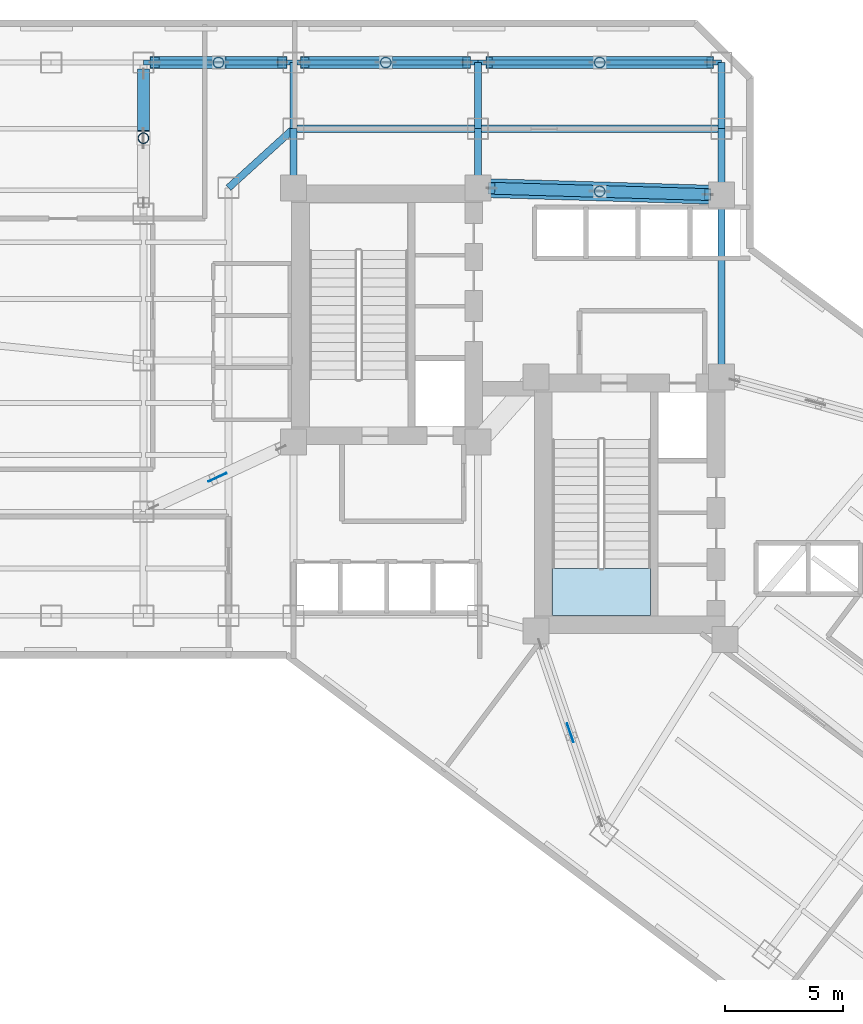
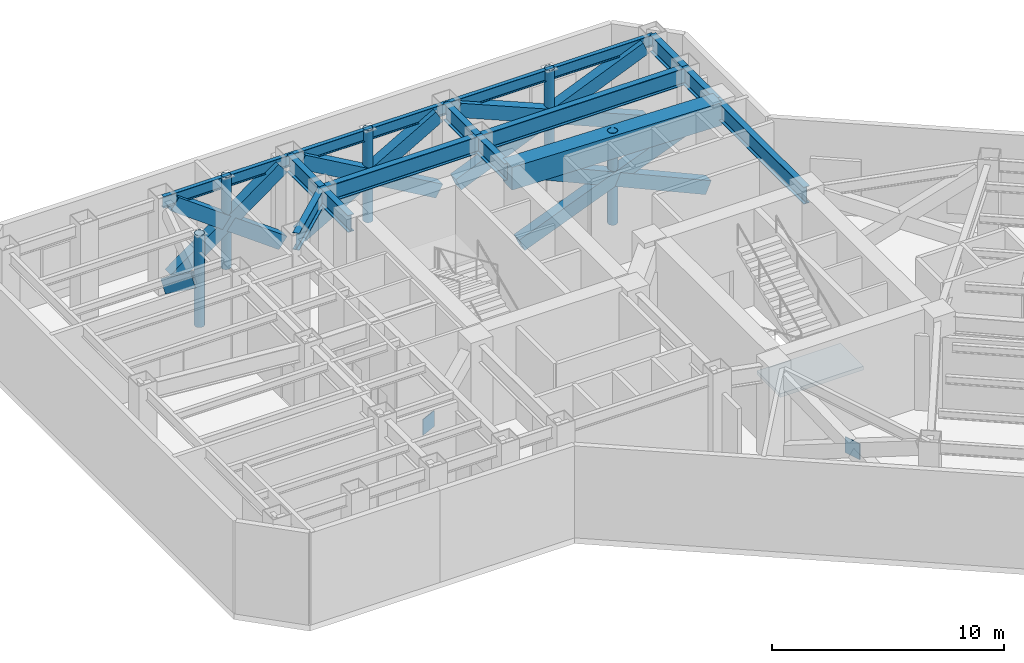
# One storey, part 3 of 14: 18 members, 14 beams, 2 plates, 1 slab, 1 element without a shape of its own.
"""IFC4 building model written with IfcOpenShell, lengths in metres."""

from ifc_helpers import new_model, si_unit, direction, frame, origin, origin_2d, place, context, subcontext, project, spatial, polyline, rectangle, hollow_rectangle, hollow_circle, i_section, outline, extrude, material, layer, layer_set, material_profile, profile_set, type_object, element, aggregate, save


model = new_model("IFC4")

# Units and contexts
model_context = context("Model", 3, precision=1e-05, world=origin(), true_north=direction((0.0, 1.0)))
body_context = subcontext(model_context, "Body", "Model", "MODEL_VIEW")
ifc_project = project(units=[si_unit("LENGTHUNIT", "METRE"), si_unit("AREAUNIT", "SQUARE_METRE"), si_unit("VOLUMEUNIT", "CUBIC_METRE"), si_unit("PLANEANGLEUNIT", "RADIAN"), si_unit("MASSUNIT", "GRAM", prefix="KILO")], contexts=[model_context])

# Site, building, storey
site_placement = place(None, origin())
site = spatial("IfcSite", under=ifc_project, at=site_placement, CompositionType="ELEMENT")
building_placement = place(site_placement, origin())
building = spatial("IfcBuilding", under=site, at=building_placement, Name="Hatsunagi Terrace Concourse", CompositionType="ELEMENT")
storey_placement = place(building_placement, frame((0.0, 0.0, 91.35009765625)))
storey = spatial("IfcBuildingStorey", under=building, at=storey_placement, Name="L24", CompositionType="ELEMENT", Elevation=91.35009765625)

# Members
ifc_material_1 = material(Name="Steel SN490B", Category="steel")
ifc_material_profile_1 = material_profile(ifc_material_1, hollow_circle(Radius=0.228515625, WallThickness=0.01904296875, at=origin_2d()), Name="CHS-457.2x19")
ifc_profile_set_1 = profile_set([ifc_material_profile_1], Name="Steel SN490B")
member_type_1 = type_object("IfcMemberType", Name="BeltTrussStrut_CHS_457x19", PredefinedType="STRUT", material=ifc_profile_set_1)
for number, where, z_axis, x_axis, name in (
    (1, (19.199951171875, 45.39990234375, 0.0), (0.0, 0.0, 1.0), (1.0, 0.0, 0.0), "Belt Strut BST-01 L24-2"),
    (2, (22.375, 48.60009765625, 0.0), (0.0, 0.0, 1.0), (1.0, 0.0, 0.0), "Belt Strut BST-01 L24-3"),
    (3, (29.449951171875, 48.60009765625, 0.0), (0.0, 0.0, 1.0), (1.0, 0.0, 0.0), "Belt Strut BST-01 L24-4"),
    (4, (38.5, 43.14990234375, 0.0), (0.0, 0.0, 1.0), (1.0, 0.0, 0.0), "Belt Strut BST-01 L24-7"),
    (5, (38.5, 48.60009765625, 0.0), (0.0, 0.0, 1.0), (1.0, 0.0, 0.0), "Belt Strut BST-01 L24-8"),
):
    element("IfcMember", number, at=place(storey_placement, frame(where, z_axis=z_axis, x_axis=x_axis)), inside=storey, type_object=member_type_1, Name=name, PredefinedType="STRUT", context=body_context, shape_type="SweptSolid", body=[
        extrude(hollow_circle(Radius=0.228515625, WallThickness=0.01904296875, at=origin_2d()), origin(), (0.0, 0.0, 1.0), 4.849853515625),
    ])

# Beams
ifc_material_2 = material(Name="Concrete Fc60", Category="concrete")
ifc_material_profile_2 = material_profile(ifc_material_2, rectangle(XDim=0.800048828125, YDim=1.199951171875, at=origin_2d()), Name="RC-800x1200")
ifc_profile_set_2 = profile_set([ifc_material_profile_2], Name="Concrete Fc60")
beam_type_1 = type_object("IfcBeamType", Name="CoreCouplingBeam_RC_800x1200", PredefinedType="BEAM", material=ifc_profile_set_2)
beam_1_placement = place(storey_placement, frame((33.35009765625, 43.300048828125, 4.25), z_axis=(0.999575947545, -0.029119153303, 0.0), x_axis=(0.029119153303, 0.999575947545, 0.0)))
element("IfcBeam", 6, at=beam_1_placement, inside=storey, type_object=beam_type_1, Name="Beam CB-01 CB-L24-2", PredefinedType="BEAM", context=body_context, shape_type="SweptSolid", body=[
    extrude(rectangle(XDim=0.800048828125, YDim=1.199951171875, at=origin_2d()), origin(), (0.0, 0.0, 1.0), 10.30419921875),
])
ifc_material_3 = material(Name="Steel SN490B", Category="steel")
ifc_material_profile_3 = material_profile(ifc_material_3, i_section(OverallWidth=0.300048828125, OverallDepth=0.89990234375, WebThickness=0.01611328125, FlangeThickness=0.028076171875, FilletRadius=0.02197265625, at=origin_2d()), Name="H-900x300x16x28")
ifc_profile_set_3 = profile_set([ifc_material_profile_3], Name="Steel SN490B")
beam_type_2 = type_object("IfcBeamType", Name="HeavyRefugeGirder_H_900x300", PredefinedType="BEAM", material=ifc_profile_set_3)
beam_2_placement = place(storey_placement, frame((43.64990234375, 35.300048828125, 4.39990234375), z_axis=(0.0, 1.0, 0.0), x_axis=(-1.0, 0.0, 0.0)))
element("IfcBeam", 7, at=beam_2_placement, inside=storey, type_object=beam_type_2, Name="Beam G-02 BM-L24-CBK3", PredefinedType="BEAM", context=body_context, shape_type="SweptSolid", body=[
    extrude(i_section(OverallWidth=0.300048828125, OverallDepth=0.89990234375, WebThickness=0.01611328125, FlangeThickness=0.028076171875, FilletRadius=0.02197265625, at=origin_2d()), origin(), (0.0, 0.0, 1.0), 7.699951171875),
])
for number, where, z_axis, x_axis, name in (
    (8, (25.550048828125, 43.300048828125, 4.39990234375), (0.0, 1.0, 0.0), (-1.0, 0.0, 0.0), "Beam G-02 BM-L24-CN1"),
    (9, (33.35009765625, 43.300048828125, 4.39990234375), (0.0, 1.0, 0.0), (-1.0, 0.0, 0.0), "Beam G-02 BM-L24-CN2"),
):
    element("IfcBeam", number, at=place(storey_placement, frame(where, z_axis=z_axis, x_axis=x_axis)), inside=storey, type_object=beam_type_2, Name=name, PredefinedType="BEAM", context=body_context, shape_type="SweptSolid", body=[
        extrude(i_section(OverallWidth=0.300048828125, OverallDepth=0.89990234375, WebThickness=0.01611328125, FlangeThickness=0.028076171875, FilletRadius=0.02197265625, at=origin_2d()), origin(), (0.0, 0.0, 1.0), 2.5),
    ])
beam_3_placement = place(storey_placement, frame((43.64990234375, 43.0, 4.39990234375), z_axis=(0.0, 1.0, 0.0), x_axis=(-1.0, 0.0, 0.0)))
element("IfcBeam", 10, at=beam_3_placement, inside=storey, type_object=beam_type_2, Name="Beam G-02 BM-L24-CN3", PredefinedType="BEAM", context=body_context, shape_type="SweptSolid", body=[
    extrude(i_section(OverallWidth=0.300048828125, OverallDepth=0.89990234375, WebThickness=0.01611328125, FlangeThickness=0.028076171875, FilletRadius=0.02197265625, at=origin_2d()), origin(), (0.0, 0.0, 1.0), 2.800048828125),
])
beam_4_placement = place(storey_placement, frame((25.550048828125, 45.800048828125, 4.39990234375), z_axis=(1.0, 0.0, 0.0), x_axis=(0.0, 1.0, 0.0)))
element("IfcBeam", 11, at=beam_4_placement, inside=storey, type_object=beam_type_2, Name="Beam G-02 BM-L24-CNEW1", PredefinedType="BEAM", context=body_context, shape_type="SweptSolid", body=[
    extrude(i_section(OverallWidth=0.300048828125, OverallDepth=0.89990234375, WebThickness=0.01611328125, FlangeThickness=0.028076171875, FilletRadius=0.02197265625, at=origin_2d()), origin(), (0.0, 0.0, 1.0), 7.800048828125),
])
beam_5_placement = place(storey_placement, frame((33.35009765625, 45.800048828125, 4.39990234375), z_axis=(1.0, 0.0, 0.0), x_axis=(0.0, 1.0, 0.0)))
element("IfcBeam", 12, at=beam_5_placement, inside=storey, type_object=beam_type_2, Name="Beam G-02 BM-L24-CNEW2", PredefinedType="BEAM", context=body_context, shape_type="SweptSolid", body=[
    extrude(i_section(OverallWidth=0.300048828125, OverallDepth=0.89990234375, WebThickness=0.01611328125, FlangeThickness=0.028076171875, FilletRadius=0.02197265625, at=origin_2d()), origin(), (0.0, 0.0, 1.0), 10.2998046875),
])
for number, where, z_axis, x_axis, name in (
    (13, (25.550048828125, 45.800048828125, 4.39990234375), (0.0, 1.0, 0.0), (-1.0, 0.0, 0.0), "Beam G-02 BM-L24-KN-WN4"),
    (14, (33.35009765625, 45.800048828125, 4.39990234375), (0.0, 1.0, 0.0), (-1.0, 0.0, 0.0), "Beam G-02 BM-L24-KN-WN5"),
    (15, (43.64990234375, 45.800048828125, 4.39990234375), (0.0, 1.0, 0.0), (-1.0, 0.0, 0.0), "Beam G-02 BM-L24-KN-WN6"),
):
    element("IfcBeam", number, at=place(storey_placement, frame(where, z_axis=z_axis, x_axis=x_axis)), inside=storey, type_object=beam_type_2, Name=name, PredefinedType="BEAM", context=body_context, shape_type="SweptSolid", body=[
        extrude(i_section(OverallWidth=0.300048828125, OverallDepth=0.89990234375, WebThickness=0.01611328125, FlangeThickness=0.028076171875, FilletRadius=0.02197265625, at=origin_2d()), origin(), (0.0, 0.0, 1.0), 2.800048828125),
    ])
beam_6_placement = place(storey_placement, frame((22.800048828125, 43.300048828125, 4.39990234375), z_axis=(0.739940073396, 0.672672793996, 0.0), x_axis=(-0.672672793996, 0.739940073396, 0.0)))
element("IfcBeam", 16, at=beam_6_placement, inside=storey, type_object=beam_type_2, Name="Beam G-02 BM-L24-CWEW-N", PredefinedType="BEAM", context=body_context, shape_type="SweptSolid", body=[
    extrude(i_section(OverallWidth=0.300048828125, OverallDepth=0.89990234375, WebThickness=0.01611328125, FlangeThickness=0.028076171875, FilletRadius=0.02197265625, at=origin_2d()), origin(), (0.0, 0.0, 1.0), 3.716552734375),
])

# Members
ifc_material_4 = material(Name="Steel SN490C", Category="steel")
ifc_material_profile_4 = material_profile(ifc_material_4, hollow_rectangle(XDim=0.5, YDim=0.699951171875, WallThickness=0.031982421875, at=origin_2d()), Name="RHS-700x500x32")
ifc_profile_set_4 = profile_set([ifc_material_profile_4], Name="Steel SN490C")
member_type_2 = type_object("IfcMemberType", Name="OutriggerDiagonal_RHS_700x500x32", PredefinedType="BRACE", material=ifc_profile_set_4)
member_1_placement = place(storey_placement, frame((19.199951171875, 45.513916015625, 2.343017578125), z_axis=(0.0, 0.810769274882, -0.585365853896), x_axis=(-1.0, 0.0, 0.0)))
element("IfcMember", 17, at=member_1_placement, inside=storey, type_object=member_type_2, Name="Split Secondary Brace Lower OUT-01 OUT-L24-2B2", PredefinedType="BRACE", context=body_context, shape_type="SweptSolid", body=[
    extrude(hollow_rectangle(XDim=0.5, YDim=0.699951171875, WallThickness=0.031982421875, at=origin_2d()), origin(), (0.0, 0.0, 1.0), 3.216796875),
])
member_2_placement = place(storey_placement, frame((19.677978515625, 48.60009765625, 0.4599609375), z_axis=(0.808237491119, 0.0, 0.588856653143), x_axis=(0.0, 1.0, 0.0)))
element("IfcMember", 18, at=member_2_placement, inside=storey, type_object=member_type_2, Name="Primary Continuous Brace OUT-01 OUT-L24-3A", PredefinedType="BRACE", context=body_context, shape_type="SweptSolid", body=[
    extrude(hollow_rectangle(XDim=0.5, YDim=0.699951171875, WallThickness=0.031982421875, at=origin_2d()), origin(), (0.0, 0.0, 1.0), 6.673828125),
])
for number, where, z_axis, x_axis, name in (
    (19, (19.677978515625, 48.60009765625, 4.389892578125), (0.80817107659, 0.0, -0.588947799862), (0.0, 1.0, 0.0), "Split Secondary Brace Upper OUT-01 OUT-L24-3B1"),
    (20, (22.488037109375, 48.60009765625, 2.343017578125), (0.80817107659, 0.0, -0.588947799862), (0.0, 1.0, 0.0), "Split Secondary Brace Lower OUT-01 OUT-L24-3B2"),
):
    element("IfcMember", number, at=place(storey_placement, frame(where, z_axis=z_axis, x_axis=x_axis)), inside=storey, type_object=member_type_2, Name=name, PredefinedType="BRACE", context=body_context, shape_type="SweptSolid", body=[
        extrude(hollow_rectangle(XDim=0.5, YDim=0.699951171875, WallThickness=0.031982421875, at=origin_2d()), origin(), (0.0, 0.0, 1.0), 3.197265625),
    ])
member_3_placement = place(storey_placement, frame((26.028076171875, 48.60009765625, 0.4599609375), z_axis=(0.867199911193, 0.0, 0.497960153051), x_axis=(0.0, 1.0, 0.0)))
element("IfcMember", 21, at=member_3_placement, inside=storey, type_object=member_type_2, Name="Primary Continuous Brace OUT-01 OUT-L24-4A", PredefinedType="BRACE", context=body_context, shape_type="SweptSolid", body=[
    extrude(hollow_rectangle(XDim=0.5, YDim=0.699951171875, WallThickness=0.031982421875, at=origin_2d()), origin(), (0.0, 0.0, 1.0), 7.89208984375),
])
for number, where, z_axis, x_axis, name in (
    (22, (26.028076171875, 48.60009765625, 4.389892578125), (0.867254635428, 0.0, -0.497864838414), (0.0, 1.0, 0.0), "Split Secondary Brace Upper OUT-01 OUT-L24-4B1"),
    (23, (29.571044921875, 48.60009765625, 2.35498046875), (0.867254635428, 0.0, -0.497864838414), (0.0, 1.0, 0.0), "Split Secondary Brace Lower OUT-01 OUT-L24-4B2"),
):
    element("IfcMember", number, at=place(storey_placement, frame(where, z_axis=z_axis, x_axis=x_axis)), inside=storey, type_object=member_type_2, Name=name, PredefinedType="BRACE", context=body_context, shape_type="SweptSolid", body=[
        extrude(hollow_rectangle(XDim=0.5, YDim=0.699951171875, WallThickness=0.031982421875, at=origin_2d()), origin(), (0.0, 0.0, 1.0), 3.806396484375),
    ])
member_4_placement = place(storey_placement, frame((33.927978515625, 43.282958984375, 0.4599609375), z_axis=(0.918414719486, -0.026703519771, 0.394716765621), x_axis=(0.029063383735, 0.99957757064, 0.0)))
element("IfcMember", 24, at=member_4_placement, inside=storey, type_object=member_type_2, Name="Primary Continuous Brace OUT-01 OUT-L24-7A", PredefinedType="BRACE", context=body_context, shape_type="SweptSolid", body=[
    extrude(hollow_rectangle(XDim=0.5, YDim=0.699951171875, WallThickness=0.031982421875, at=origin_2d()), origin(), (0.0, 0.0, 1.0), 9.956298828125),
])
for number, where, z_axis, x_axis, name in (
    (25, (33.927978515625, 43.282958984375, 4.389892578125), (0.918390084171, -0.026644868643, -0.394778044314), (0.029000380431, 0.999579400515, 0.0), "Split Secondary Brace Upper OUT-01 OUT-L24-7B1"),
    (26, (38.62890625, 43.14599609375, 2.369873046875), (0.918390084171, -0.026644868643, -0.394778044314), (0.029000380431, 0.999579400515, 0.0), "Split Secondary Brace Lower OUT-01 OUT-L24-7B2"),
):
    element("IfcMember", number, at=place(storey_placement, frame(where, z_axis=z_axis, x_axis=x_axis)), inside=storey, type_object=member_type_2, Name=name, PredefinedType="BRACE", context=body_context, shape_type="SweptSolid", body=[
        extrude(hollow_rectangle(XDim=0.5, YDim=0.699951171875, WallThickness=0.031982421875, at=origin_2d()), origin(), (0.0, 0.0, 1.0), 4.837890625),
    ])
member_5_placement = place(storey_placement, frame((33.827880859375, 48.60009765625, 0.4599609375), z_axis=(0.921793516676, 0.0, 0.387681199716), x_axis=(0.0, 1.0, 0.0)))
element("IfcMember", 27, at=member_5_placement, inside=storey, type_object=member_type_2, Name="Primary Continuous Brace OUT-01 OUT-L24-8A", PredefinedType="BRACE", context=body_context, shape_type="SweptSolid", body=[
    extrude(hollow_rectangle(XDim=0.5, YDim=0.699951171875, WallThickness=0.031982421875, at=origin_2d()), origin(), (0.0, 0.0, 1.0), 10.136962890625),
])
for number, where, z_axis, x_axis, name in (
    (28, (33.827880859375, 48.60009765625, 4.389892578125), (0.921783561089, 0.0, -0.387704870366), (0.0, 1.0, 0.0), "Split Secondary Brace Upper OUT-01 OUT-L24-8B1"),
    (29, (38.62890625, 48.60009765625, 2.370849609375), (0.921783561089, 0.0, -0.387704870366), (0.0, 1.0, 0.0), "Split Secondary Brace Lower OUT-01 OUT-L24-8B2"),
):
    element("IfcMember", number, at=place(storey_placement, frame(where, z_axis=z_axis, x_axis=x_axis)), inside=storey, type_object=member_type_2, Name=name, PredefinedType="BRACE", context=body_context, shape_type="SweptSolid", body=[
        extrude(hollow_rectangle(XDim=0.5, YDim=0.699951171875, WallThickness=0.031982421875, at=origin_2d()), origin(), (0.0, 0.0, 1.0), 4.9287109375),
    ])

# Beams
ifc_material_5 = material(Name="Steel SN490B", Category="steel")
ifc_material_profile_5 = material_profile(ifc_material_5, i_section(OverallWidth=0.199951171875, OverallDepth=0.60009765625, WebThickness=0.010986328125, FlangeThickness=0.01708984375, FilletRadius=0.01806640625, at=origin_2d()), Name="H-600x200x11x17")
ifc_profile_set_5 = profile_set([ifc_material_profile_5], Name="Steel SN490B")
beam_type_3 = type_object("IfcBeamType", Name="PerimeterSpandrel_H_600x200", PredefinedType="SPANDREL", material=ifc_profile_set_5)
beam_7_placement = place(storey_placement, frame((19.199951171875, 48.60009765625, 4.5498046875), z_axis=(1.0, 0.0, 0.0), x_axis=(0.0, 1.0, 0.0)))
element("IfcBeam", 30, at=beam_7_placement, inside=storey, type_object=beam_type_3, Name="Beam SP-01 BM-L24-WN-19", PredefinedType="SPANDREL", context=body_context, shape_type="SweptSolid", body=[
    extrude(i_section(OverallWidth=0.199951171875, OverallDepth=0.60009765625, WebThickness=0.010986328125, FlangeThickness=0.01708984375, FilletRadius=0.01806640625, at=origin_2d()), origin(), (0.0, 0.0, 1.0), 6.35009765625),
])
beam_8_placement = place(storey_placement, frame((25.550048828125, 48.60009765625, 4.5498046875), z_axis=(1.0, 0.0, 0.0), x_axis=(0.0, 1.0, 0.0)))
element("IfcBeam", 31, at=beam_8_placement, inside=storey, type_object=beam_type_3, Name="Beam SP-01 BM-L24-WN-25", PredefinedType="SPANDREL", context=body_context, shape_type="SweptSolid", body=[
    extrude(i_section(OverallWidth=0.199951171875, OverallDepth=0.60009765625, WebThickness=0.010986328125, FlangeThickness=0.01708984375, FilletRadius=0.01806640625, at=origin_2d()), origin(), (0.0, 0.0, 1.0), 7.800048828125),
])
beam_9_placement = place(storey_placement, frame((33.35009765625, 48.60009765625, 4.5498046875), z_axis=(1.0, 0.0, 0.0), x_axis=(0.0, 1.0, 0.0)))
element("IfcBeam", 32, at=beam_9_placement, inside=storey, type_object=beam_type_3, Name="Beam SP-01 BM-L24-WN-33", PredefinedType="SPANDREL", context=body_context, shape_type="SweptSolid", body=[
    extrude(i_section(OverallWidth=0.199951171875, OverallDepth=0.60009765625, WebThickness=0.010986328125, FlangeThickness=0.01708984375, FilletRadius=0.01806640625, at=origin_2d()), origin(), (0.0, 0.0, 1.0), 10.2998046875),
])

# Stair, slab
ifc_material_6 = material(Name="Concrete Fc42", Category="concrete")
stair_type = type_object("IfcStairType", Name="DoglegExitStair_Tower2000_30R_170", PredefinedType="HALF_TURN_STAIR", material=ifc_material_6)
stair_placement = place(storey_placement, origin())
stair = element("IfcStair", 33, at=stair_placement, inside=storey, type_object=stair_type, Name="L24 Core B Protected Exit Stair ST-B", PredefinedType="HALF_TURN_STAIR")
ifc_material_7 = material(Name="Concrete Fc42", Category="concrete")
ifc_layer_1 = layer(ifc_material_7, 0.199951171875)
ifc_layer_set_1 = layer_set([ifc_layer_1], Name="DoglegStairLanding_Tower2000")
slab_type = type_object("IfcSlabType", Name="DoglegStairLanding_Tower2000", PredefinedType="LANDING", material=ifc_layer_set_1)
slab_placement = place(storey_placement, frame((0.0, 0.0, 2.349853515625)))
slab = element("IfcSlab", 34, at=slab_placement, type_object=slab_type, Name="ST-B landing 1", PredefinedType="LANDING", context=body_context, shape_type="SweptSolid", body=[
    extrude(outline(polyline([(36.5, 27.199951171875), (36.5, 25.199951171875), (40.64990234375, 25.199951171875), (40.64990234375, 27.199951171875), (36.5, 27.199951171875)])), origin(), (0.0, 0.0, 1.0), 0.199951171875),
])
aggregate(stair, [slab])

# Plates
ifc_material_8 = material(Name="Steel SN490C", Category="steel")
ifc_layer_2 = layer(ifc_material_8, 0.035888671875)
ifc_layer_set_2 = layer_set([ifc_layer_2], Name="OutriggerGussetPlate_36")
plate_type = type_object("IfcPlateType", Name="OutriggerGussetPlate_36", PredefinedType="USERDEFINED", material=ifc_layer_set_2)
for number, where, z_axis, x_axis, name in (
    (35, (22.330078125, 31.052978515625, 2.0048828125), (0.0, 0.0, 1.0), (-0.906911697231, -0.421320748867, 0.0), "Crossing Gusset Node Plate GP-01 OUT-L24-1"),
    (36, (37.256103515625, 20.248046875, 2.0048828125), (0.0, 0.0, 1.0), (0.320565047555, -0.947226504214, 0.0), "Crossing Gusset Node Plate GP-01 OUT-L24-5"),
):
    element("IfcPlate", number, at=place(storey_placement, frame(where, z_axis=z_axis, x_axis=x_axis)), inside=storey, type_object=plate_type, Name=name, ObjectType="GUSSET_PLATE", PredefinedType="USERDEFINED", context=body_context, shape_type="SweptSolid", body=[
        extrude(rectangle(XDim=0.840087890625, YDim=0.035888671875, at=origin_2d()), origin(), (0.0, 0.0, 1.0), 0.840087890625),
    ])

save(model, "model.ifc")
